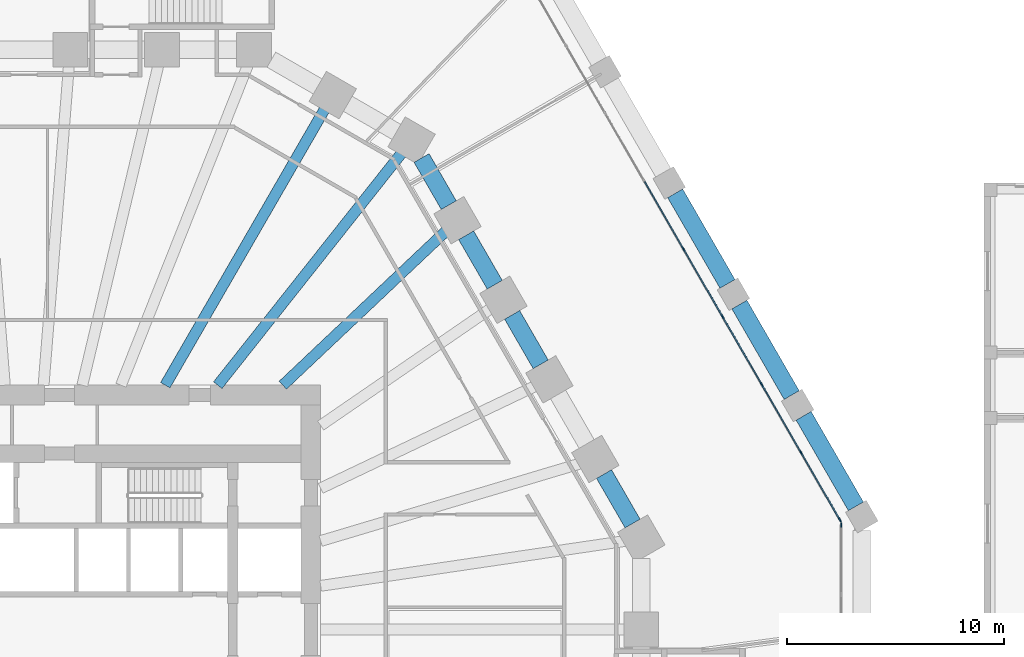
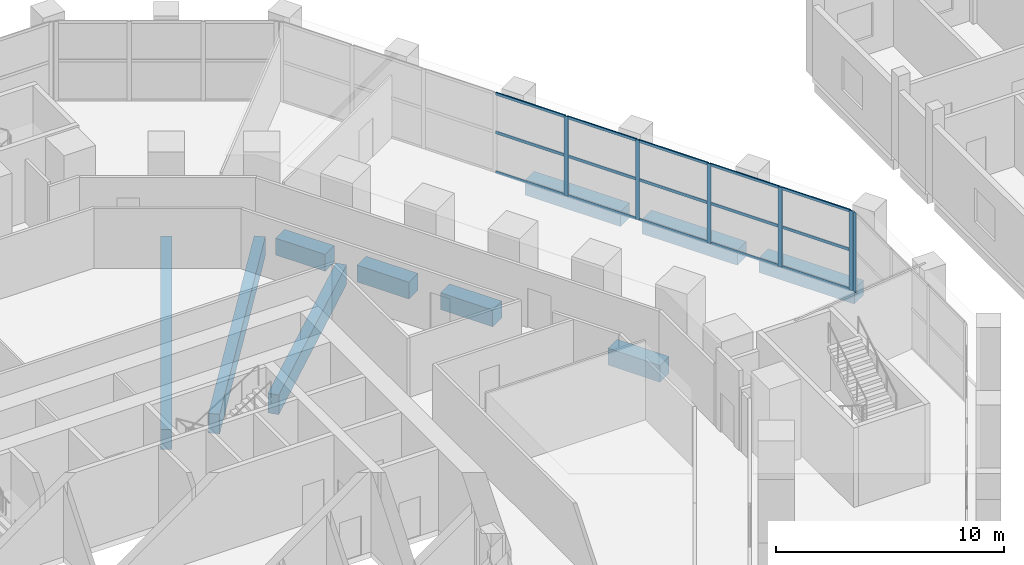
# One storey, part 10 of 38: 21 members, 10 beams, 2 elements without a shape of their own.
"""IFC4 building model written with IfcOpenShell, lengths in metres."""

from ifc_helpers import new_model, si_unit, direction, frame, origin, origin_2d, place, context, subcontext, project, spatial, rectangle, extrude, material, material_profile, profile_set, type_object, element, aggregate, save


model = new_model("IFC4")

# Units and contexts
model_context = context("Model", 3, precision=1e-05, world=origin(), true_north=direction((0.0, 1.0)))
body_context = subcontext(model_context, "Body", "Model", "MODEL_VIEW")
ifc_project = project(units=[si_unit("LENGTHUNIT", "METRE"), si_unit("AREAUNIT", "SQUARE_METRE"), si_unit("VOLUMEUNIT", "CUBIC_METRE"), si_unit("PLANEANGLEUNIT", "RADIAN"), si_unit("MASSUNIT", "GRAM", prefix="KILO")], contexts=[model_context])

# Site, building, storey
site_placement = place(None, origin())
site = spatial("IfcSite", under=ifc_project, at=site_placement, CompositionType="ELEMENT")
building_placement = place(site_placement, origin())
building = spatial("IfcBuilding", under=site, at=building_placement, Name="Frailejon Research Tower", CompositionType="ELEMENT")
storey_placement = place(building_placement, frame((0.0, 0.0, 5.60009765625)))
storey = spatial("IfcBuildingStorey", under=building, at=storey_placement, Name="L01", CompositionType="ELEMENT", Elevation=5.60009765625)

# Beams
ifc_material_1 = material(Name="Concrete C60/75", Category="concrete")
ifc_material_profile_1 = material_profile(ifc_material_1, rectangle(XDim=0.800048828125, YDim=0.800048828125, at=origin_2d()), Name="Base ring beam")
ifc_profile_set_1 = profile_set([ifc_material_profile_1], Name="Concrete C60/75")
beam_type_1 = type_object("IfcBeamType", Name="Base ring beam", PredefinedType="BEAM", material=ifc_profile_set_1)
beam_1_placement = place(storey_placement, frame((38.294189453125, 5.672607421875, -0.75), z_axis=(-0.500028306193, 0.866009060579, 0.0), x_axis=(-0.866009060579, -0.500028306193, 0.0)))
element("IfcBeam", 1, at=beam_1_placement, inside=storey, type_object=beam_type_1, Name="Base ring beam", PredefinedType="BEAM", context=body_context, shape_type="SweptSolid", body=[
    extrude(rectangle(XDim=0.800048828125, YDim=0.800048828125, at=origin_2d()), origin(), (0.0, 0.0, 1.0), 4.813720703125),
])
for number, where, z_axis, x_axis, name in (
    (2, (35.33740234375, 10.7939453125, -0.75), (-0.50000634465, 0.866021740668, 0.0), (-0.866021740668, -0.50000634465, 0.0), "Base ring beam"),
    (3, (32.38037109375, 15.91552734375, -0.75), (-0.50000634465, 0.866021740668, 0.0), (-0.866021740668, -0.50000634465, 0.0), "Base ring beam"),
):
    element("IfcBeam", number, at=place(storey_placement, frame(where, z_axis=z_axis, x_axis=x_axis)), inside=storey, type_object=beam_type_1, Name=name, PredefinedType="BEAM", context=body_context, shape_type="SweptSolid", body=[
        extrude(rectangle(XDim=0.800048828125, YDim=0.800048828125, at=origin_2d()), origin(), (0.0, 0.0, 1.0), 4.81396484375),
    ])
ifc_material_2 = material(Name="Concrete C60/75", Category="concrete")
ifc_material_profile_2 = material_profile(ifc_material_2, rectangle(XDim=0.5, YDim=1.050048828125, at=origin_2d()), Name="Girder 500x1050")
ifc_profile_set_2 = profile_set([ifc_material_profile_2], Name="Concrete C60/75")
beam_type_2 = type_object("IfcBeamType", Name="Girder 500x1050", PredefinedType="BEAM", material=ifc_profile_set_2)
beam_2_placement = place(storey_placement, frame((19.460205078125, 18.3857421875, -0.875), z_axis=(-0.72688803019, -0.686755991285, 0.0), x_axis=(0.686755991285, -0.72688803019, 0.0)))
element("IfcBeam", 4, at=beam_2_placement, inside=storey, type_object=beam_type_2, Name="Girder 500x1050", PredefinedType="BEAM", context=body_context, shape_type="SweptSolid", body=[
    extrude(rectangle(XDim=0.5, YDim=1.050048828125, at=origin_2d()), origin(), (0.0, 0.0, 1.0), 10.390625),
])
beam_3_placement = place(storey_placement, frame((17.423828125, 21.99609375, -0.875), z_axis=(-0.62092187156, -0.783872457367, 0.0), x_axis=(0.783872457367, -0.62092187156, 0.0)))
element("IfcBeam", 5, at=beam_3_placement, inside=storey, type_object=beam_type_2, Name="Girder 500x1050", PredefinedType="BEAM", context=body_context, shape_type="SweptSolid", body=[
    extrude(rectangle(XDim=0.5, YDim=1.050048828125, at=origin_2d()), origin(), (0.0, 0.0, 1.0), 13.708984375),
])
beam_4_placement = place(storey_placement, frame((13.88134765625, 24.043212890625, -0.875), z_axis=(-0.500003328639, -0.866023481986, 0.0), x_axis=(0.866023481986, -0.500003328639, 0.0)))
element("IfcBeam", 6, at=beam_4_placement, inside=storey, type_object=beam_type_2, Name="Girder 500x1050", PredefinedType="BEAM", context=body_context, shape_type="SweptSolid", body=[
    extrude(rectangle(XDim=0.5, YDim=1.050048828125, at=origin_2d()), origin(), (0.0, 0.0, 1.0), 14.7724609375),
])
ifc_material_3 = material(Name="Concrete C60/75", Category="concrete")
ifc_material_profile_3 = material_profile(ifc_material_3, rectangle(XDim=0.800048828125, YDim=0.89990234375, at=origin_2d()), Name="Podium ring beam")
ifc_profile_set_3 = profile_set([ifc_material_profile_3], Name="Concrete C60/75")
beam_type_3 = type_object("IfcBeamType", Name="Podium ring beam", PredefinedType="BEAM", material=ifc_profile_set_3)
beam_5_placement = place(storey_placement, frame((28.0126953125, 4.88037109375, -0.800048828125), z_axis=(-0.499990112884, 0.866031112038, 0.0), x_axis=(-0.866031112038, -0.499990112884, 0.0)))
element("IfcBeam", 7, at=beam_5_placement, inside=storey, type_object=beam_type_3, Name="Podium ring beam", PredefinedType="BEAM", context=body_context, shape_type="SweptSolid", body=[
    extrude(rectangle(XDim=0.800048828125, YDim=0.89990234375, at=origin_2d()), origin(), (0.0, 0.0, 1.0), 2.6318359375),
])
beam_6_placement = place(storey_placement, frame((23.781005859375, 12.210205078125, -0.800048828125), z_axis=(-0.500019514865, 0.866014136579, 0.0), x_axis=(-0.866014136579, -0.500019514865, 0.0)))
element("IfcBeam", 8, at=beam_6_placement, inside=storey, type_object=beam_type_3, Name="Podium ring beam", PredefinedType="BEAM", context=body_context, shape_type="SweptSolid", body=[
    extrude(rectangle(XDim=0.800048828125, YDim=0.89990234375, at=origin_2d()), origin(), (0.0, 0.0, 1.0), 2.63232421875),
])
beam_7_placement = place(storey_placement, frame((21.664794921875, 15.875244140625, -0.800048828125), z_axis=(-0.499949948743, 0.866054298963, 0.0), x_axis=(-0.866054298963, -0.499949948743, 0.0)))
element("IfcBeam", 9, at=beam_7_placement, inside=storey, type_object=beam_type_3, Name="Podium ring beam", PredefinedType="BEAM", context=body_context, shape_type="SweptSolid", body=[
    extrude(rectangle(XDim=0.800048828125, YDim=0.89990234375, at=origin_2d()), origin(), (0.0, 0.0, 1.0), 2.632080078125),
])
beam_8_placement = place(storey_placement, frame((19.548828125, 19.540283203125, -0.800048828125), z_axis=(-0.499949964382, 0.866054289935, 0.0), x_axis=(-0.866054289935, -0.499949964382, 0.0)))
element("IfcBeam", 10, at=beam_8_placement, inside=storey, type_object=beam_type_3, Name="Podium ring beam", PredefinedType="BEAM", context=body_context, shape_type="SweptSolid", body=[
    extrude(rectangle(XDim=0.800048828125, YDim=0.89990234375, at=origin_2d()), origin(), (0.0, 0.0, 1.0), 2.508056640625),
])

# Curtain wall, member
ifc_material_4 = material(Name="Aluminium curtain wall", Category="aluminium")
curtain_wall_type = type_object("IfcCurtainWallType", Name="Podium stick curtain wall system", PredefinedType="NOTDEFINED", material=ifc_material_4)
curtain_wall_1_placement = place(storey_placement, origin())
curtain_wall_1 = element("IfcCurtainWall", 11, at=curtain_wall_1_placement, inside=storey, type_object=curtain_wall_type, Name="Curtain wall L01", PredefinedType="NOTDEFINED")
ifc_material_5 = material(Name="Aluminium extrusion", Category="aluminium")
ifc_material_profile_4 = material_profile(ifc_material_5, rectangle(XDim=0.06005859375, YDim=0.199951171875, at=origin_2d()), Name="Podium stick curtain wall mullion 60x200")
ifc_profile_set_4 = profile_set([ifc_material_profile_4], Name="Aluminium extrusion")
member_type_1 = type_object("IfcMemberType", Name="Podium stick curtain wall mullion 60x200", PredefinedType="MULLION", material=ifc_profile_set_4)
member_1_placement = place(storey_placement, frame((37.619140625, 4.8115234375, 0.0), z_axis=(0.0, 0.0, 1.0), x_axis=(-1.0, 0.0, 0.0)))
member_1 = element("IfcMember", 12, at=member_1_placement, type_object=member_type_1, Name="CW2-021 mullion 4", PredefinedType="MULLION", context=body_context, shape_type="SweptSolid", body=[
    extrude(rectangle(XDim=0.06005859375, YDim=0.199951171875, at=origin_2d()), origin(), (0.0, 0.0, 1.0), 4.25),
])
aggregate(curtain_wall_1, [member_1])

# Curtain wall, members
curtain_wall_2_placement = place(storey_placement, origin())
curtain_wall_2 = element("IfcCurtainWall", 13, at=curtain_wall_2_placement, inside=storey, type_object=curtain_wall_type, Name="Curtain wall L01", PredefinedType="NOTDEFINED")
member_2_placement = place(storey_placement, frame((37.55419921875, 5.05419921875, 0.0), z_axis=(0.0, 0.0, 1.0), x_axis=(-0.86602632934, -0.499998396888, 0.0)))
member_2 = element("IfcMember", 14, at=member_2_placement, type_object=member_type_1, Name="CW2-022 mullion 1", PredefinedType="MULLION", context=body_context, shape_type="SweptSolid", body=[
    extrude(rectangle(XDim=0.06005859375, YDim=0.199951171875, at=origin_2d()), origin(), (0.0, 0.0, 1.0), 4.25),
])
member_3_placement = place(storey_placement, frame((35.765380859375, 8.15234375, 0.0), z_axis=(0.0, 0.0, 1.0), x_axis=(-0.86602632934, -0.499998396888, 0.0)))
member_3 = element("IfcMember", 15, at=member_3_placement, type_object=member_type_1, Name="CW2-022 mullion 2", PredefinedType="MULLION", context=body_context, shape_type="SweptSolid", body=[
    extrude(rectangle(XDim=0.06005859375, YDim=0.199951171875, at=origin_2d()), origin(), (0.0, 0.0, 1.0), 4.25),
])
member_4_placement = place(storey_placement, frame((33.961669921875, 11.276611328125, 0.0), z_axis=(0.0, 0.0, 1.0), x_axis=(-0.86602632934, -0.499998396888, 0.0)))
member_4 = element("IfcMember", 16, at=member_4_placement, type_object=member_type_1, Name="CW2-022 mullion 3", PredefinedType="MULLION", context=body_context, shape_type="SweptSolid", body=[
    extrude(rectangle(XDim=0.06005859375, YDim=0.199951171875, at=origin_2d()), origin(), (0.0, 0.0, 1.0), 4.25),
])
member_5_placement = place(storey_placement, frame((32.157958984375, 14.40087890625, 0.0), z_axis=(0.0, 0.0, 1.0), x_axis=(-0.86602632934, -0.499998396888, 0.0)))
member_5 = element("IfcMember", 17, at=member_5_placement, type_object=member_type_1, Name="CW2-022 mullion 4", PredefinedType="MULLION", context=body_context, shape_type="SweptSolid", body=[
    extrude(rectangle(XDim=0.06005859375, YDim=0.199951171875, at=origin_2d()), origin(), (0.0, 0.0, 1.0), 4.25),
])
member_6_placement = place(storey_placement, frame((30.354248046875, 17.52490234375, 0.0), z_axis=(0.0, 0.0, 1.0), x_axis=(-0.86602632934, -0.499998396888, 0.0)))
member_6 = element("IfcMember", 18, at=member_6_placement, type_object=member_type_1, Name="CW2-022 mullion 5", PredefinedType="MULLION", context=body_context, shape_type="SweptSolid", body=[
    extrude(rectangle(XDim=0.06005859375, YDim=0.199951171875, at=origin_2d()), origin(), (0.0, 0.0, 1.0), 4.25),
])
ifc_material_6 = material(Name="Aluminium extrusion", Category="aluminium")
ifc_material_profile_5 = material_profile(ifc_material_6, rectangle(XDim=0.06005859375, YDim=0.14990234375, at=origin_2d()), Name="Podium stick curtain wall transom 60x150")
ifc_profile_set_5 = profile_set([ifc_material_profile_5], Name="Aluminium extrusion")
member_type_2 = type_object("IfcMemberType", Name="Podium stick curtain wall transom 60x150", PredefinedType="USERDEFINED", material=ifc_profile_set_5)
member_7_placement = place(storey_placement, frame((37.539306640625, 5.080078125, 0.02978515625), z_axis=(-0.499990804263, 0.866030712881, 0.0), x_axis=(-0.866030712881, -0.499990804263, 0.0)))
member_7 = element("IfcMember", 19, at=member_7_placement, type_object=member_type_2, Name="CW2-022 transom 1.1", ObjectType="TRANSOM", PredefinedType="USERDEFINED", context=body_context, shape_type="SweptSolid", body=[
    extrude(rectangle(XDim=0.06005859375, YDim=0.14990234375, at=origin_2d()), origin(), (0.0, 0.0, 1.0), 3.517578125),
])
member_8_placement = place(storey_placement, frame((37.539306640625, 5.080078125, 2.14990234375), z_axis=(-0.499990804263, 0.866030712881, 0.0), x_axis=(-0.866030712881, -0.499990804263, 0.0)))
member_8 = element("IfcMember", 20, at=member_8_placement, type_object=member_type_2, Name="CW2-022 transom 1.2", ObjectType="TRANSOM", PredefinedType="USERDEFINED", context=body_context, shape_type="SweptSolid", body=[
    extrude(rectangle(XDim=0.06005859375, YDim=0.14990234375, at=origin_2d()), origin(), (0.0, 0.0, 1.0), 3.517578125),
])
member_9_placement = place(storey_placement, frame((37.539306640625, 5.080078125, 4.219970703125), z_axis=(-0.499990804263, 0.866030712881, 0.0), x_axis=(-0.866030712881, -0.499990804263, 0.0)))
member_9 = element("IfcMember", 21, at=member_9_placement, type_object=member_type_2, Name="CW2-022 transom 1.3", ObjectType="TRANSOM", PredefinedType="USERDEFINED", context=body_context, shape_type="SweptSolid", body=[
    extrude(rectangle(XDim=0.06005859375, YDim=0.14990234375, at=origin_2d()), origin(), (0.0, 0.0, 1.0), 3.517578125),
])
member_10_placement = place(storey_placement, frame((35.75048828125, 8.178466796875, 0.02978515625), z_axis=(-0.499980603476, 0.866036602083, 0.0), x_axis=(-0.866036602083, -0.499980603476, 0.0)))
member_10 = element("IfcMember", 22, at=member_10_placement, type_object=member_type_2, Name="CW2-022 transom 2.1", ObjectType="TRANSOM", PredefinedType="USERDEFINED", context=body_context, shape_type="SweptSolid", body=[
    extrude(rectangle(XDim=0.06005859375, YDim=0.14990234375, at=origin_2d()), origin(), (0.0, 0.0, 1.0), 3.547607421875),
])
member_11_placement = place(storey_placement, frame((35.75048828125, 8.178466796875, 2.14990234375), z_axis=(-0.499980603476, 0.866036602083, 0.0), x_axis=(-0.866036602083, -0.499980603476, 0.0)))
member_11 = element("IfcMember", 23, at=member_11_placement, type_object=member_type_2, Name="CW2-022 transom 2.2", ObjectType="TRANSOM", PredefinedType="USERDEFINED", context=body_context, shape_type="SweptSolid", body=[
    extrude(rectangle(XDim=0.06005859375, YDim=0.14990234375, at=origin_2d()), origin(), (0.0, 0.0, 1.0), 3.547607421875),
])
member_12_placement = place(storey_placement, frame((35.75048828125, 8.178466796875, 4.219970703125), z_axis=(-0.499980603476, 0.866036602083, 0.0), x_axis=(-0.866036602083, -0.499980603476, 0.0)))
member_12 = element("IfcMember", 24, at=member_12_placement, type_object=member_type_2, Name="CW2-022 transom 2.3", ObjectType="TRANSOM", PredefinedType="USERDEFINED", context=body_context, shape_type="SweptSolid", body=[
    extrude(rectangle(XDim=0.06005859375, YDim=0.14990234375, at=origin_2d()), origin(), (0.0, 0.0, 1.0), 3.547607421875),
])
member_13_placement = place(storey_placement, frame((33.94677734375, 11.302490234375, 0.02978515625), z_axis=(-0.500032217487, 0.86600680221, 0.0), x_axis=(-0.86600680221, -0.500032217487, 0.0)))
member_13 = element("IfcMember", 25, at=member_13_placement, type_object=member_type_2, Name="CW2-022 transom 3.1", ObjectType="TRANSOM", PredefinedType="USERDEFINED", context=body_context, shape_type="SweptSolid", body=[
    extrude(rectangle(XDim=0.06005859375, YDim=0.14990234375, at=origin_2d()), origin(), (0.0, 0.0, 1.0), 3.547607421875),
])
member_14_placement = place(storey_placement, frame((33.94677734375, 11.302490234375, 2.14990234375), z_axis=(-0.500032217487, 0.86600680221, 0.0), x_axis=(-0.86600680221, -0.500032217487, 0.0)))
member_14 = element("IfcMember", 26, at=member_14_placement, type_object=member_type_2, Name="CW2-022 transom 3.2", ObjectType="TRANSOM", PredefinedType="USERDEFINED", context=body_context, shape_type="SweptSolid", body=[
    extrude(rectangle(XDim=0.06005859375, YDim=0.14990234375, at=origin_2d()), origin(), (0.0, 0.0, 1.0), 3.547607421875),
])
member_15_placement = place(storey_placement, frame((33.94677734375, 11.302490234375, 4.219970703125), z_axis=(-0.500032217487, 0.86600680221, 0.0), x_axis=(-0.86600680221, -0.500032217487, 0.0)))
member_15 = element("IfcMember", 27, at=member_15_placement, type_object=member_type_2, Name="CW2-022 transom 3.3", ObjectType="TRANSOM", PredefinedType="USERDEFINED", context=body_context, shape_type="SweptSolid", body=[
    extrude(rectangle(XDim=0.06005859375, YDim=0.14990234375, at=origin_2d()), origin(), (0.0, 0.0, 1.0), 3.547607421875),
])
member_16_placement = place(storey_placement, frame((32.14306640625, 14.4267578125, 0.02978515625), z_axis=(-0.500032217487, 0.86600680221, 0.0), x_axis=(-0.86600680221, -0.500032217487, 0.0)))
member_16 = element("IfcMember", 28, at=member_16_placement, type_object=member_type_2, Name="CW2-022 transom 4.1", ObjectType="TRANSOM", PredefinedType="USERDEFINED", context=body_context, shape_type="SweptSolid", body=[
    extrude(rectangle(XDim=0.06005859375, YDim=0.14990234375, at=origin_2d()), origin(), (0.0, 0.0, 1.0), 3.547607421875),
])
member_17_placement = place(storey_placement, frame((32.14306640625, 14.4267578125, 2.14990234375), z_axis=(-0.500032217487, 0.86600680221, 0.0), x_axis=(-0.86600680221, -0.500032217487, 0.0)))
member_17 = element("IfcMember", 29, at=member_17_placement, type_object=member_type_2, Name="CW2-022 transom 4.2", ObjectType="TRANSOM", PredefinedType="USERDEFINED", context=body_context, shape_type="SweptSolid", body=[
    extrude(rectangle(XDim=0.06005859375, YDim=0.14990234375, at=origin_2d()), origin(), (0.0, 0.0, 1.0), 3.547607421875),
])
member_18_placement = place(storey_placement, frame((32.14306640625, 14.4267578125, 4.219970703125), z_axis=(-0.500032217487, 0.86600680221, 0.0), x_axis=(-0.86600680221, -0.500032217487, 0.0)))
member_18 = element("IfcMember", 30, at=member_18_placement, type_object=member_type_2, Name="CW2-022 transom 4.3", ObjectType="TRANSOM", PredefinedType="USERDEFINED", context=body_context, shape_type="SweptSolid", body=[
    extrude(rectangle(XDim=0.06005859375, YDim=0.14990234375, at=origin_2d()), origin(), (0.0, 0.0, 1.0), 3.547607421875),
])
member_19_placement = place(storey_placement, frame((30.339111328125, 17.551025390625, 0.02978515625), z_axis=(-0.499980603476, 0.866036602083, 0.0), x_axis=(-0.866036602083, -0.499980603476, 0.0)))
member_19 = element("IfcMember", 31, at=member_19_placement, type_object=member_type_2, Name="CW2-022 transom 5.1", ObjectType="TRANSOM", PredefinedType="USERDEFINED", context=body_context, shape_type="SweptSolid", body=[
    extrude(rectangle(XDim=0.06005859375, YDim=0.14990234375, at=origin_2d()), origin(), (0.0, 0.0, 1.0), 3.547607421875),
])
member_20_placement = place(storey_placement, frame((30.339111328125, 17.551025390625, 2.14990234375), z_axis=(-0.499980603476, 0.866036602083, 0.0), x_axis=(-0.866036602083, -0.499980603476, 0.0)))
member_20 = element("IfcMember", 32, at=member_20_placement, type_object=member_type_2, Name="CW2-022 transom 5.2", ObjectType="TRANSOM", PredefinedType="USERDEFINED", context=body_context, shape_type="SweptSolid", body=[
    extrude(rectangle(XDim=0.06005859375, YDim=0.14990234375, at=origin_2d()), origin(), (0.0, 0.0, 1.0), 3.547607421875),
])
member_21_placement = place(storey_placement, frame((30.339111328125, 17.551025390625, 4.219970703125), z_axis=(-0.499980603476, 0.866036602083, 0.0), x_axis=(-0.866036602083, -0.499980603476, 0.0)))
member_21 = element("IfcMember", 33, at=member_21_placement, type_object=member_type_2, Name="CW2-022 transom 5.3", ObjectType="TRANSOM", PredefinedType="USERDEFINED", context=body_context, shape_type="SweptSolid", body=[
    extrude(rectangle(XDim=0.06005859375, YDim=0.14990234375, at=origin_2d()), origin(), (0.0, 0.0, 1.0), 3.547607421875),
])
aggregate(curtain_wall_2, [member_2, member_3, member_4, member_5, member_6, member_7, member_8, member_9, member_10, member_11, member_12, member_13, member_14, member_15, member_16, member_17, member_18, member_19, member_20, member_21])

save(model, "model.ifc")
